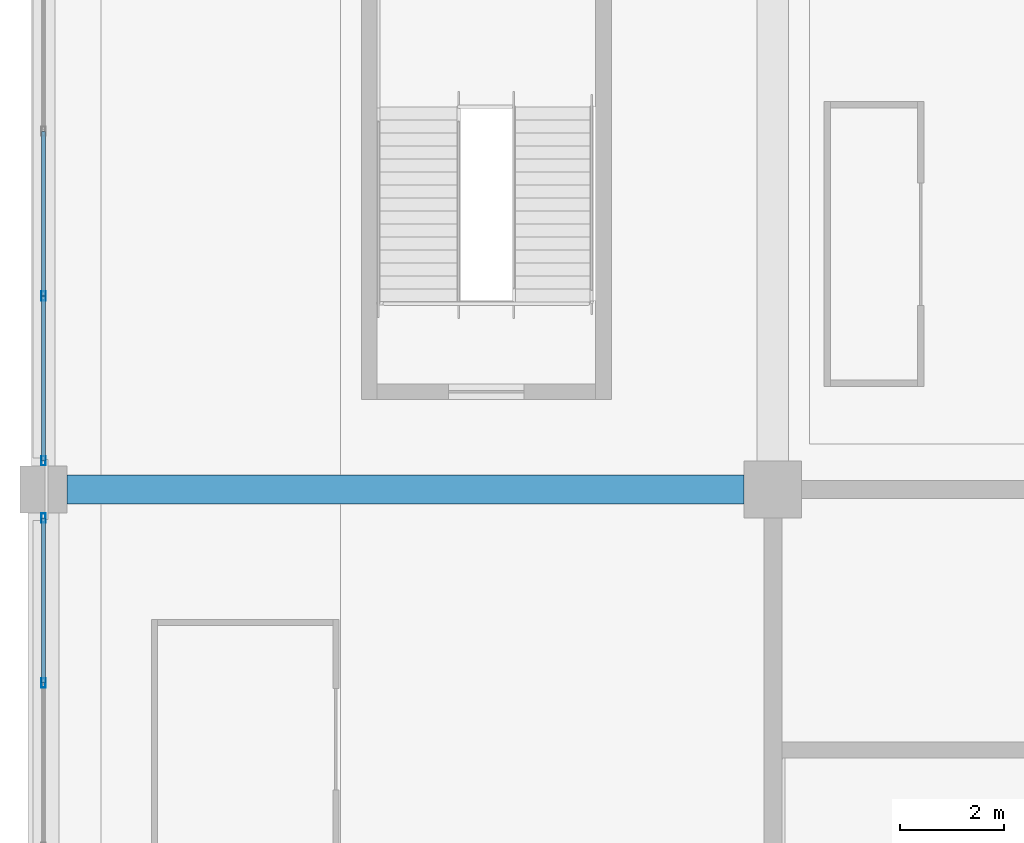
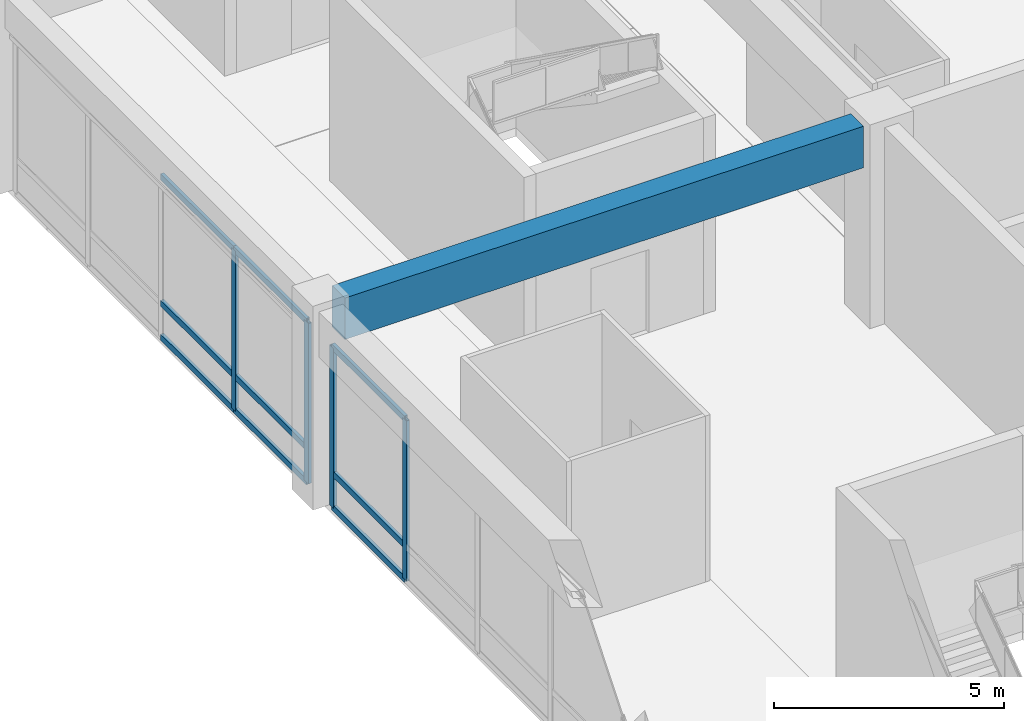
# One storey, part 38 of 117: 13 members, 1 beam, 2 elements without a shape of their own.
"""IFC4 building model written with IfcOpenShell, lengths in metres."""

from ifc_helpers import new_model, si_unit, direction, frame, origin, origin_2d, place, context, subcontext, project, spatial, rectangle, hollow_rectangle, extrude, material, material_profile, profile_set, type_object, element, aggregate, save


model = new_model("IFC4")

# Units and contexts
model_context = context("Model", 3, precision=1e-05, world=origin(), true_north=direction((0.0, 1.0)))
body_context = subcontext(model_context, "Body", "Model", "MODEL_VIEW")
ifc_project = project(units=[si_unit("LENGTHUNIT", "METRE"), si_unit("AREAUNIT", "SQUARE_METRE"), si_unit("VOLUMEUNIT", "CUBIC_METRE"), si_unit("PLANEANGLEUNIT", "RADIAN"), si_unit("MASSUNIT", "GRAM", prefix="KILO")], contexts=[model_context])

# Site, building, storey
site_placement = place(None, origin())
site = spatial("IfcSite", under=ifc_project, at=site_placement, CompositionType="ELEMENT")
building_placement = place(site_placement, origin())
building = spatial("IfcBuilding", under=site, at=building_placement, Name="Linyun Crest Stadium", CompositionType="ELEMENT")
storey_placement = place(building_placement, frame((0.0, 0.0, 6.0)))
storey = spatial("IfcBuildingStorey", under=building, at=storey_placement, Name="L02", CompositionType="ELEMENT", Elevation=6.0)

# Curtain wall, members
ifc_material_1 = material(Name="Verdigris steel and low-E curtain wall assembly", Category="steel")
curtain_wall_type = type_object("IfcCurtainWallType", Name="MCW01", PredefinedType="NOTDEFINED", material=ifc_material_1)
curtain_wall_1_placement = place(storey_placement, origin())
curtain_wall_1 = element("IfcCurtainWall", 1, at=curtain_wall_1_placement, inside=storey, type_object=curtain_wall_type, Name="CWR-073", PredefinedType="NOTDEFINED")
ifc_material_2 = material(Name="Verdigris painted steel Q355B mullion", Category="steel")
ifc_material_profile_1 = material_profile(ifc_material_2, hollow_rectangle(XDim=0.080078125, YDim=0.179931640625, WallThickness=0.006103515625, at=origin_2d()), Name="RHS 180x80x6")
ifc_profile_set_1 = profile_set([ifc_material_profile_1], Name="Verdigris painted steel Q355B mullion")
member_type_1 = type_object("IfcMemberType", Name="ML02", PredefinedType="MULLION", material=ifc_profile_set_1)
member_1_placement = place(storey_placement, frame((-98.0, -29.087890625, 0.0), z_axis=(0.0, 0.0, 1.0), x_axis=(-1.0, 0.0, 0.0)))
member_1 = element("IfcMember", 2, at=member_1_placement, type_object=member_type_1, Name="CWR-073 mullion 4", PredefinedType="MULLION", context=body_context, shape_type="SweptSolid", body=[
    extrude(hollow_rectangle(XDim=0.080078125, YDim=0.179931640625, WallThickness=0.006103515625, at=origin_2d()), origin(), (0.0, 0.0, 1.0), 4.25),
])
member_2_placement = place(storey_placement, frame((-98.0, -25.925048828125, 0.0), z_axis=(0.0, 0.0, 1.0), x_axis=(-1.0, 0.0, 0.0)))
member_2 = element("IfcMember", 3, at=member_2_placement, type_object=member_type_1, Name="CWR-073 mullion 5", PredefinedType="MULLION", context=body_context, shape_type="SweptSolid", body=[
    extrude(hollow_rectangle(XDim=0.080078125, YDim=0.179931640625, WallThickness=0.006103515625, at=origin_2d()), origin(), (0.0, 0.0, 1.0), 4.25),
])

curtain_wall_2_placement = place(storey_placement, origin())
curtain_wall_2 = element("IfcCurtainWall", 4, at=curtain_wall_2_placement, inside=storey, type_object=curtain_wall_type, Name="CWR-082", PredefinedType="NOTDEFINED")
member_3_placement = place(storey_placement, frame((-98.0, -24.824951171875, 0.0), z_axis=(0.0, 0.0, 1.0), x_axis=(-1.0, 0.0, 0.0)))
member_3 = element("IfcMember", 5, at=member_3_placement, type_object=member_type_1, Name="CWR-082 mullion 1", PredefinedType="MULLION", context=body_context, shape_type="SweptSolid", body=[
    extrude(hollow_rectangle(XDim=0.080078125, YDim=0.179931640625, WallThickness=0.006103515625, at=origin_2d()), origin(), (0.0, 0.0, 1.0), 4.25),
])
member_4_placement = place(storey_placement, frame((-98.0, -21.662109375, 0.0), z_axis=(0.0, 0.0, 1.0), x_axis=(-1.0, 0.0, 0.0)))
member_4 = element("IfcMember", 6, at=member_4_placement, type_object=member_type_1, Name="CWR-082 mullion 2", PredefinedType="MULLION", context=body_context, shape_type="SweptSolid", body=[
    extrude(hollow_rectangle(XDim=0.080078125, YDim=0.179931640625, WallThickness=0.006103515625, at=origin_2d()), origin(), (0.0, 0.0, 1.0), 4.25),
])

# Beam
ifc_material_3 = material(Name="Concrete C50", Category="concrete")
ifc_material_profile_2 = material_profile(ifc_material_3, rectangle(XDim=0.550048828125, YDim=1.10009765625, at=origin_2d()), Name="RCB 1100x550")
ifc_profile_set_2 = profile_set([ifc_material_profile_2], Name="Concrete C50")
beam_type = type_object("IfcBeamType", Name="TB01", PredefinedType="USERDEFINED", material=ifc_profile_set_2)
beam_placement = place(storey_placement, frame((-97.550048828125, -25.375, 4.64990234375), z_axis=(1.0, 0.0, 0.0), x_axis=(0.0, 1.0, 0.0)))
element("IfcBeam", 7, at=beam_placement, inside=storey, type_object=beam_type, Name="Frame beam TB01 L02 176", ObjectType="GIRDER", PredefinedType="USERDEFINED", context=body_context, shape_type="SweptSolid", body=[
    extrude(rectangle(XDim=0.550048828125, YDim=1.10009765625, at=origin_2d()), origin(), (0.0, 0.0, 1.0), 13.0),
])

# Member
ifc_material_4 = material(Name="Aluminium thermally broken transom", Category="aluminium")
ifc_material_profile_3 = material_profile(ifc_material_4, hollow_rectangle(XDim=0.080078125, YDim=0.159912109375, WallThickness=0.006103515625, at=origin_2d()), Name="RHS 160x80x6")
ifc_profile_set_3 = profile_set([ifc_material_profile_3], Name="Aluminium thermally broken transom")
member_type_2 = type_object("IfcMemberType", Name="TR01", PredefinedType="USERDEFINED", material=ifc_profile_set_3)
member_5_placement = place(storey_placement, frame((-98.0, -29.087890625, 0.0), z_axis=(0.0, 1.0, 0.0), x_axis=(-1.0, 0.0, 0.0)))
member_5 = element("IfcMember", 8, at=member_5_placement, type_object=member_type_2, Name="CWR-073 transom 4.1", ObjectType="TRANSOM", PredefinedType="USERDEFINED", context=body_context, shape_type="SweptSolid", body=[
    extrude(hollow_rectangle(XDim=0.080078125, YDim=0.159912109375, WallThickness=0.006103515625, at=origin_2d()), origin(), (0.0, 0.0, 1.0), 3.162841796875),
])

member_6_placement = place(storey_placement, frame((-98.0, -29.087890625, 0.89990234375), z_axis=(0.0, 1.0, 0.0), x_axis=(-1.0, 0.0, 0.0)))
member_6 = element("IfcMember", 9, at=member_6_placement, type_object=member_type_2, Name="CWR-073 transom 4.2", ObjectType="TRANSOM", PredefinedType="USERDEFINED", context=body_context, shape_type="SweptSolid", body=[
    extrude(hollow_rectangle(XDim=0.080078125, YDim=0.159912109375, WallThickness=0.006103515625, at=origin_2d()), origin(), (0.0, 0.0, 1.0), 3.162841796875),
])

member_7_placement = place(storey_placement, frame((-98.0, -29.087890625, 4.25), z_axis=(0.0, 1.0, 0.0), x_axis=(-1.0, 0.0, 0.0)))
member_7 = element("IfcMember", 10, at=member_7_placement, type_object=member_type_2, Name="CWR-073 transom 4.3", ObjectType="TRANSOM", PredefinedType="USERDEFINED", context=body_context, shape_type="SweptSolid", body=[
    extrude(hollow_rectangle(XDim=0.080078125, YDim=0.159912109375, WallThickness=0.006103515625, at=origin_2d()), origin(), (0.0, 0.0, 1.0), 3.162841796875),
])

aggregate(curtain_wall_1, [member_1, member_2, member_5, member_6, member_7])

member_8_placement = place(storey_placement, frame((-98.0, -24.824951171875, 0.0), z_axis=(0.0, 1.0, 0.0), x_axis=(-1.0, 0.0, 0.0)))
member_8 = element("IfcMember", 11, at=member_8_placement, type_object=member_type_2, Name="CWR-082 transom 1.1", ObjectType="TRANSOM", PredefinedType="USERDEFINED", context=body_context, shape_type="SweptSolid", body=[
    extrude(hollow_rectangle(XDim=0.080078125, YDim=0.159912109375, WallThickness=0.006103515625, at=origin_2d()), origin(), (0.0, 0.0, 1.0), 3.162841796875),
])

member_9_placement = place(storey_placement, frame((-98.0, -24.824951171875, 0.89990234375), z_axis=(0.0, 1.0, 0.0), x_axis=(-1.0, 0.0, 0.0)))
member_9 = element("IfcMember", 12, at=member_9_placement, type_object=member_type_2, Name="CWR-082 transom 1.2", ObjectType="TRANSOM", PredefinedType="USERDEFINED", context=body_context, shape_type="SweptSolid", body=[
    extrude(hollow_rectangle(XDim=0.080078125, YDim=0.159912109375, WallThickness=0.006103515625, at=origin_2d()), origin(), (0.0, 0.0, 1.0), 3.162841796875),
])

member_10_placement = place(storey_placement, frame((-98.0, -24.824951171875, 4.25), z_axis=(0.0, 1.0, 0.0), x_axis=(-1.0, 0.0, 0.0)))
member_10 = element("IfcMember", 13, at=member_10_placement, type_object=member_type_2, Name="CWR-082 transom 1.3", ObjectType="TRANSOM", PredefinedType="USERDEFINED", context=body_context, shape_type="SweptSolid", body=[
    extrude(hollow_rectangle(XDim=0.080078125, YDim=0.159912109375, WallThickness=0.006103515625, at=origin_2d()), origin(), (0.0, 0.0, 1.0), 3.162841796875),
])

member_11_placement = place(storey_placement, frame((-98.0, -21.662109375, 0.0), z_axis=(0.0, 1.0, 0.0), x_axis=(-1.0, 0.0, 0.0)))
member_11 = element("IfcMember", 14, at=member_11_placement, type_object=member_type_2, Name="CWR-082 transom 2.1", ObjectType="TRANSOM", PredefinedType="USERDEFINED", context=body_context, shape_type="SweptSolid", body=[
    extrude(hollow_rectangle(XDim=0.080078125, YDim=0.159912109375, WallThickness=0.006103515625, at=origin_2d()), origin(), (0.0, 0.0, 1.0), 3.162109375),
])

member_12_placement = place(storey_placement, frame((-98.0, -21.662109375, 0.89990234375), z_axis=(0.0, 1.0, 0.0), x_axis=(-1.0, 0.0, 0.0)))
member_12 = element("IfcMember", 15, at=member_12_placement, type_object=member_type_2, Name="CWR-082 transom 2.2", ObjectType="TRANSOM", PredefinedType="USERDEFINED", context=body_context, shape_type="SweptSolid", body=[
    extrude(hollow_rectangle(XDim=0.080078125, YDim=0.159912109375, WallThickness=0.006103515625, at=origin_2d()), origin(), (0.0, 0.0, 1.0), 3.162109375),
])

member_13_placement = place(storey_placement, frame((-98.0, -21.662109375, 4.25), z_axis=(0.0, 1.0, 0.0), x_axis=(-1.0, 0.0, 0.0)))
member_13 = element("IfcMember", 16, at=member_13_placement, type_object=member_type_2, Name="CWR-082 transom 2.3", ObjectType="TRANSOM", PredefinedType="USERDEFINED", context=body_context, shape_type="SweptSolid", body=[
    extrude(hollow_rectangle(XDim=0.080078125, YDim=0.159912109375, WallThickness=0.006103515625, at=origin_2d()), origin(), (0.0, 0.0, 1.0), 3.162109375),
])

aggregate(curtain_wall_2, [member_3, member_4, member_8, member_9, member_10, member_11, member_12, member_13])

save(model, "model.ifc")
